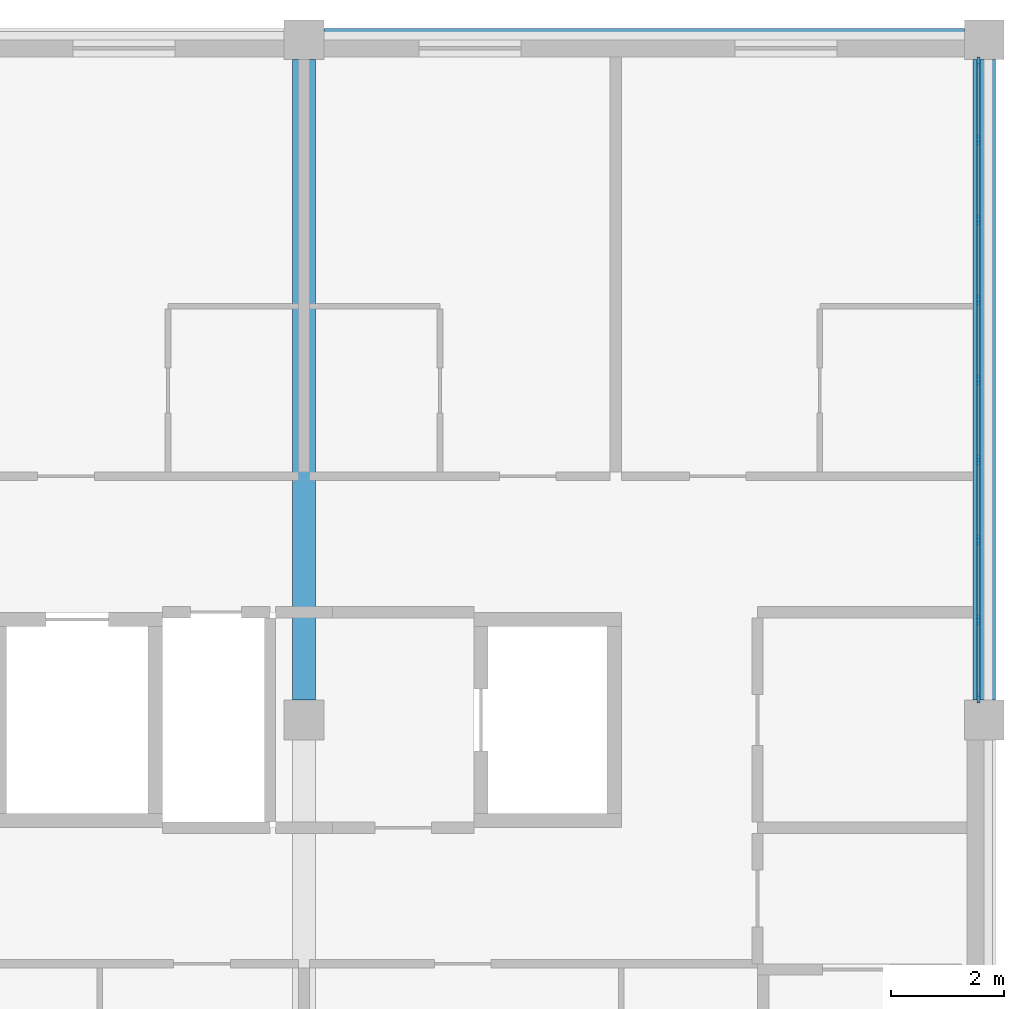
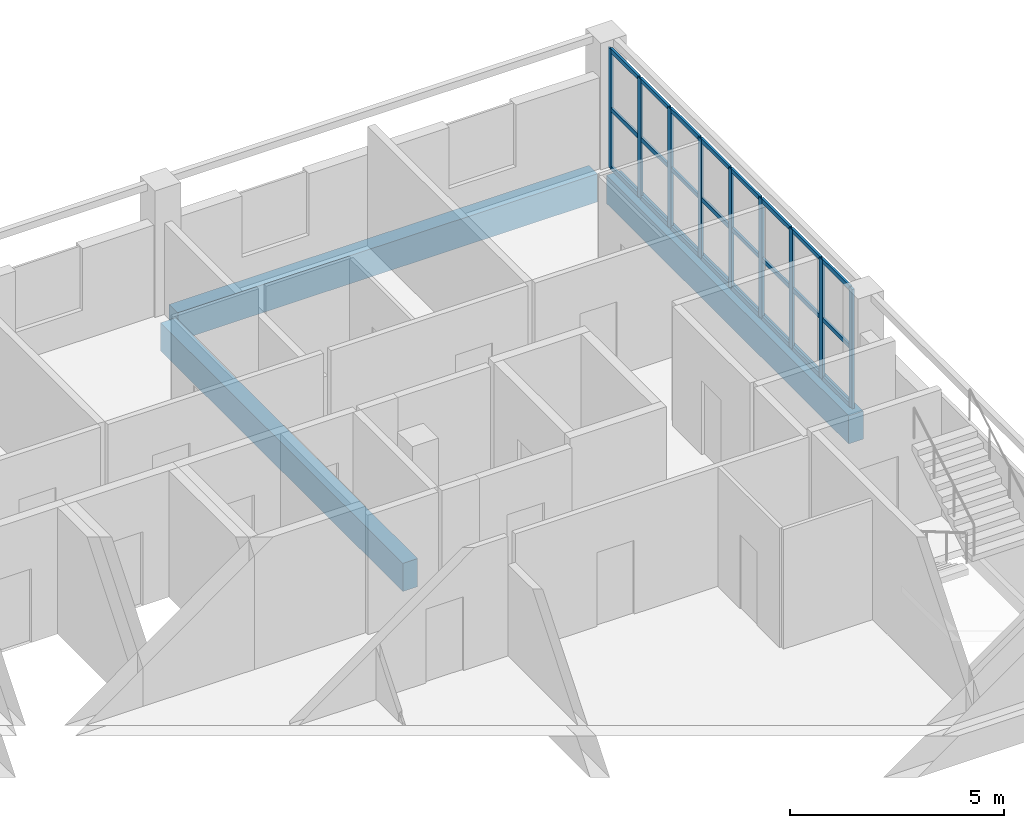
# One storey, part 4 of 11: 33 members, 3 beams, 1 element without a shape of its own.
"""IFC4 building model written with IfcOpenShell, lengths in metres."""

from ifc_helpers import new_model, si_unit, direction, frame, origin, origin_2d, place, context, subcontext, project, spatial, rectangle, extrude, material, layer, layer_set, material_profile, profile_set, type_object, element, aggregate, save


model = new_model("IFC4")

# Units and contexts
model_context = context("Model", 3, precision=1e-05, world=origin(), true_north=direction((0.0, 1.0)))
body_context = subcontext(model_context, "Body", "Model", "MODEL_VIEW")
ifc_project = project(units=[si_unit("LENGTHUNIT", "METRE"), si_unit("AREAUNIT", "SQUARE_METRE"), si_unit("VOLUMEUNIT", "CUBIC_METRE"), si_unit("PLANEANGLEUNIT", "RADIAN"), si_unit("MASSUNIT", "GRAM", prefix="KILO")], contexts=[model_context])

# Site, building, storey
site_placement = place(None, origin())
site = spatial("IfcSite", under=ifc_project, at=site_placement, CompositionType="ELEMENT")
building_placement = place(site_placement, origin())
building = spatial("IfcBuilding", under=site, at=building_placement, Name="Lilac Gate Convention Centre", CompositionType="ELEMENT")
storey_placement = place(building_placement, frame((0.0, 0.0, 64.199951171875)))
storey = spatial("IfcBuildingStorey", under=building, at=storey_placement, Name="L16", CompositionType="ELEMENT", Elevation=64.199951171875)

# Curtain wall, members
ifc_material_1 = material(Name="Aluminium framed double glazing", Category="aluminium")
ifc_layer = layer(ifc_material_1, 0.199951171875)
ifc_layer_set = layer_set([ifc_layer], Name="Aluminium framed double glazing")
curtain_wall_type = type_object("IfcCurtainWallType", Name="Unitised curtain wall 1500", PredefinedType="NOTDEFINED", material=ifc_layer_set)
curtain_wall_placement = place(storey_placement, origin())
curtain_wall = element("IfcCurtainWall", 1, at=curtain_wall_placement, inside=storey, type_object=curtain_wall_type, Name="Curtain wall E L16 2", PredefinedType="NOTDEFINED")
ifc_material_2 = material(Name="Aluminium alloy 6063", Category="aluminium")
ifc_material_profile_1 = material_profile(ifc_material_2, rectangle(XDim=0.06005859375, YDim=0.159912109375, at=origin_2d()), Name="Curtain wall mullion 60 x 160")
ifc_profile_set_1 = profile_set([ifc_material_profile_1], Name="Aluminium alloy 6063")
member_type_1 = type_object("IfcMemberType", Name="Curtain wall mullion 60 x 160", PredefinedType="MULLION", material=ifc_profile_set_1)
member_1_placement = place(storey_placement, frame((89.89990234375, 234.380126953125, 0.0), z_axis=(0.0, 0.0, 1.0), x_axis=(-1.0, 0.0, 0.0)))
member_1 = element("IfcMember", 2, at=member_1_placement, type_object=member_type_1, Name="CW mullion 1", PredefinedType="MULLION", context=body_context, shape_type="SweptSolid", body=[
    extrude(rectangle(XDim=0.06005859375, YDim=0.159912109375, at=origin_2d()), origin(), (0.0, 0.0, 1.0), 3.400146484375),
])
member_2_placement = place(storey_placement, frame((89.89990234375, 235.762451171875, 0.0), z_axis=(0.0, 0.0, 1.0), x_axis=(-1.0, 0.0, 0.0)))
member_2 = element("IfcMember", 3, at=member_2_placement, type_object=member_type_1, Name="CW mullion 2", PredefinedType="MULLION", context=body_context, shape_type="SweptSolid", body=[
    extrude(rectangle(XDim=0.06005859375, YDim=0.159912109375, at=origin_2d()), origin(), (0.0, 0.0, 1.0), 3.400146484375),
])
member_3_placement = place(storey_placement, frame((89.89990234375, 237.175048828125, 0.0), z_axis=(0.0, 0.0, 1.0), x_axis=(-1.0, 0.0, 0.0)))
member_3 = element("IfcMember", 4, at=member_3_placement, type_object=member_type_1, Name="CW mullion 3", PredefinedType="MULLION", context=body_context, shape_type="SweptSolid", body=[
    extrude(rectangle(XDim=0.06005859375, YDim=0.159912109375, at=origin_2d()), origin(), (0.0, 0.0, 1.0), 3.400146484375),
])
member_4_placement = place(storey_placement, frame((89.89990234375, 238.58740234375, 0.0), z_axis=(0.0, 0.0, 1.0), x_axis=(-1.0, 0.0, 0.0)))
member_4 = element("IfcMember", 5, at=member_4_placement, type_object=member_type_1, Name="CW mullion 4", PredefinedType="MULLION", context=body_context, shape_type="SweptSolid", body=[
    extrude(rectangle(XDim=0.06005859375, YDim=0.159912109375, at=origin_2d()), origin(), (0.0, 0.0, 1.0), 3.400146484375),
])
member_5_placement = place(storey_placement, frame((89.89990234375, 240.0, 0.0), z_axis=(0.0, 0.0, 1.0), x_axis=(-1.0, 0.0, 0.0)))
member_5 = element("IfcMember", 6, at=member_5_placement, type_object=member_type_1, Name="CW mullion 5", PredefinedType="MULLION", context=body_context, shape_type="SweptSolid", body=[
    extrude(rectangle(XDim=0.06005859375, YDim=0.159912109375, at=origin_2d()), origin(), (0.0, 0.0, 1.0), 3.400146484375),
])
member_6_placement = place(storey_placement, frame((89.89990234375, 241.41259765625, 0.0), z_axis=(0.0, 0.0, 1.0), x_axis=(-1.0, 0.0, 0.0)))
member_6 = element("IfcMember", 7, at=member_6_placement, type_object=member_type_1, Name="CW mullion 6", PredefinedType="MULLION", context=body_context, shape_type="SweptSolid", body=[
    extrude(rectangle(XDim=0.06005859375, YDim=0.159912109375, at=origin_2d()), origin(), (0.0, 0.0, 1.0), 3.400146484375),
])
member_7_placement = place(storey_placement, frame((89.89990234375, 242.824951171875, 0.0), z_axis=(0.0, 0.0, 1.0), x_axis=(-1.0, 0.0, 0.0)))
member_7 = element("IfcMember", 8, at=member_7_placement, type_object=member_type_1, Name="CW mullion 7", PredefinedType="MULLION", context=body_context, shape_type="SweptSolid", body=[
    extrude(rectangle(XDim=0.06005859375, YDim=0.159912109375, at=origin_2d()), origin(), (0.0, 0.0, 1.0), 3.400146484375),
])
member_8_placement = place(storey_placement, frame((89.89990234375, 244.237548828125, 0.0), z_axis=(0.0, 0.0, 1.0), x_axis=(-1.0, 0.0, 0.0)))
member_8 = element("IfcMember", 9, at=member_8_placement, type_object=member_type_1, Name="CW mullion 8", PredefinedType="MULLION", context=body_context, shape_type="SweptSolid", body=[
    extrude(rectangle(XDim=0.06005859375, YDim=0.159912109375, at=origin_2d()), origin(), (0.0, 0.0, 1.0), 3.400146484375),
])
member_9_placement = place(storey_placement, frame((89.89990234375, 245.619873046875, 0.0), z_axis=(0.0, 0.0, 1.0), x_axis=(-1.0, 0.0, 0.0)))
member_9 = element("IfcMember", 10, at=member_9_placement, type_object=member_type_1, Name="CW mullion 9", PredefinedType="MULLION", context=body_context, shape_type="SweptSolid", body=[
    extrude(rectangle(XDim=0.06005859375, YDim=0.159912109375, at=origin_2d()), origin(), (0.0, 0.0, 1.0), 3.400146484375),
])
ifc_material_profile_2 = material_profile(ifc_material_2, rectangle(XDim=0.06005859375, YDim=0.1201171875, at=origin_2d()), Name="Curtain wall transom 60 x 120")
ifc_profile_set_2 = profile_set([ifc_material_profile_2], Name="Aluminium alloy 6063")
member_type_2 = type_object("IfcMemberType", Name="Curtain wall transom 60 x 120", PredefinedType="USERDEFINED", material=ifc_profile_set_2)
member_10_placement = place(storey_placement, frame((89.89990234375, 234.41015625, 0.030029296875), z_axis=(0.0, 1.0, 0.0), x_axis=(-1.0, 0.0, 0.0)))
member_10 = element("IfcMember", 11, at=member_10_placement, type_object=member_type_2, Name="CW transom 1.1", ObjectType="TRANSOM", PredefinedType="USERDEFINED", context=body_context, shape_type="SweptSolid", body=[
    extrude(rectangle(XDim=0.06005859375, YDim=0.1201171875, at=origin_2d()), origin(), (0.0, 0.0, 1.0), 1.322509765625),
])
member_11_placement = place(storey_placement, frame((89.89990234375, 234.41015625, 1.699951171875), z_axis=(0.0, 1.0, 0.0), x_axis=(-1.0, 0.0, 0.0)))
member_11 = element("IfcMember", 12, at=member_11_placement, type_object=member_type_2, Name="CW transom 1.2", ObjectType="TRANSOM", PredefinedType="USERDEFINED", context=body_context, shape_type="SweptSolid", body=[
    extrude(rectangle(XDim=0.06005859375, YDim=0.1201171875, at=origin_2d()), origin(), (0.0, 0.0, 1.0), 1.322509765625),
])
member_12_placement = place(storey_placement, frame((89.89990234375, 234.41015625, 3.3701171875), z_axis=(0.0, 1.0, 0.0), x_axis=(-1.0, 0.0, 0.0)))
member_12 = element("IfcMember", 13, at=member_12_placement, type_object=member_type_2, Name="CW transom 1.3", ObjectType="TRANSOM", PredefinedType="USERDEFINED", context=body_context, shape_type="SweptSolid", body=[
    extrude(rectangle(XDim=0.06005859375, YDim=0.1201171875, at=origin_2d()), origin(), (0.0, 0.0, 1.0), 1.322509765625),
])
member_13_placement = place(storey_placement, frame((89.89990234375, 235.79248046875, 0.030029296875), z_axis=(0.0, 1.0, 0.0), x_axis=(-1.0, 0.0, 0.0)))
member_13 = element("IfcMember", 14, at=member_13_placement, type_object=member_type_2, Name="CW transom 2.1", ObjectType="TRANSOM", PredefinedType="USERDEFINED", context=body_context, shape_type="SweptSolid", body=[
    extrude(rectangle(XDim=0.06005859375, YDim=0.1201171875, at=origin_2d()), origin(), (0.0, 0.0, 1.0), 1.3525390625),
])
member_14_placement = place(storey_placement, frame((89.89990234375, 235.79248046875, 1.699951171875), z_axis=(0.0, 1.0, 0.0), x_axis=(-1.0, 0.0, 0.0)))
member_14 = element("IfcMember", 15, at=member_14_placement, type_object=member_type_2, Name="CW transom 2.2", ObjectType="TRANSOM", PredefinedType="USERDEFINED", context=body_context, shape_type="SweptSolid", body=[
    extrude(rectangle(XDim=0.06005859375, YDim=0.1201171875, at=origin_2d()), origin(), (0.0, 0.0, 1.0), 1.3525390625),
])
member_15_placement = place(storey_placement, frame((89.89990234375, 235.79248046875, 3.3701171875), z_axis=(0.0, 1.0, 0.0), x_axis=(-1.0, 0.0, 0.0)))
member_15 = element("IfcMember", 16, at=member_15_placement, type_object=member_type_2, Name="CW transom 2.3", ObjectType="TRANSOM", PredefinedType="USERDEFINED", context=body_context, shape_type="SweptSolid", body=[
    extrude(rectangle(XDim=0.06005859375, YDim=0.1201171875, at=origin_2d()), origin(), (0.0, 0.0, 1.0), 1.3525390625),
])
member_16_placement = place(storey_placement, frame((89.89990234375, 237.205078125, 0.030029296875), z_axis=(0.0, 1.0, 0.0), x_axis=(-1.0, 0.0, 0.0)))
member_16 = element("IfcMember", 17, at=member_16_placement, type_object=member_type_2, Name="CW transom 3.1", ObjectType="TRANSOM", PredefinedType="USERDEFINED", context=body_context, shape_type="SweptSolid", body=[
    extrude(rectangle(XDim=0.06005859375, YDim=0.1201171875, at=origin_2d()), origin(), (0.0, 0.0, 1.0), 1.3525390625),
])
member_17_placement = place(storey_placement, frame((89.89990234375, 237.205078125, 1.699951171875), z_axis=(0.0, 1.0, 0.0), x_axis=(-1.0, 0.0, 0.0)))
member_17 = element("IfcMember", 18, at=member_17_placement, type_object=member_type_2, Name="CW transom 3.2", ObjectType="TRANSOM", PredefinedType="USERDEFINED", context=body_context, shape_type="SweptSolid", body=[
    extrude(rectangle(XDim=0.06005859375, YDim=0.1201171875, at=origin_2d()), origin(), (0.0, 0.0, 1.0), 1.3525390625),
])
member_18_placement = place(storey_placement, frame((89.89990234375, 237.205078125, 3.3701171875), z_axis=(0.0, 1.0, 0.0), x_axis=(-1.0, 0.0, 0.0)))
member_18 = element("IfcMember", 19, at=member_18_placement, type_object=member_type_2, Name="CW transom 3.3", ObjectType="TRANSOM", PredefinedType="USERDEFINED", context=body_context, shape_type="SweptSolid", body=[
    extrude(rectangle(XDim=0.06005859375, YDim=0.1201171875, at=origin_2d()), origin(), (0.0, 0.0, 1.0), 1.3525390625),
])
member_19_placement = place(storey_placement, frame((89.89990234375, 238.617431640625, 0.030029296875), z_axis=(0.0, 1.0, 0.0), x_axis=(-1.0, 0.0, 0.0)))
member_19 = element("IfcMember", 20, at=member_19_placement, type_object=member_type_2, Name="CW transom 4.1", ObjectType="TRANSOM", PredefinedType="USERDEFINED", context=body_context, shape_type="SweptSolid", body=[
    extrude(rectangle(XDim=0.06005859375, YDim=0.1201171875, at=origin_2d()), origin(), (0.0, 0.0, 1.0), 1.3525390625),
])
member_20_placement = place(storey_placement, frame((89.89990234375, 238.617431640625, 1.699951171875), z_axis=(0.0, 1.0, 0.0), x_axis=(-1.0, 0.0, 0.0)))
member_20 = element("IfcMember", 21, at=member_20_placement, type_object=member_type_2, Name="CW transom 4.2", ObjectType="TRANSOM", PredefinedType="USERDEFINED", context=body_context, shape_type="SweptSolid", body=[
    extrude(rectangle(XDim=0.06005859375, YDim=0.1201171875, at=origin_2d()), origin(), (0.0, 0.0, 1.0), 1.3525390625),
])
member_21_placement = place(storey_placement, frame((89.89990234375, 238.617431640625, 3.3701171875), z_axis=(0.0, 1.0, 0.0), x_axis=(-1.0, 0.0, 0.0)))
member_21 = element("IfcMember", 22, at=member_21_placement, type_object=member_type_2, Name="CW transom 4.3", ObjectType="TRANSOM", PredefinedType="USERDEFINED", context=body_context, shape_type="SweptSolid", body=[
    extrude(rectangle(XDim=0.06005859375, YDim=0.1201171875, at=origin_2d()), origin(), (0.0, 0.0, 1.0), 1.3525390625),
])
member_22_placement = place(storey_placement, frame((89.89990234375, 240.030029296875, 0.030029296875), z_axis=(0.0, 1.0, 0.0), x_axis=(-1.0, 0.0, 0.0)))
member_22 = element("IfcMember", 23, at=member_22_placement, type_object=member_type_2, Name="CW transom 5.1", ObjectType="TRANSOM", PredefinedType="USERDEFINED", context=body_context, shape_type="SweptSolid", body=[
    extrude(rectangle(XDim=0.06005859375, YDim=0.1201171875, at=origin_2d()), origin(), (0.0, 0.0, 1.0), 1.3525390625),
])
member_23_placement = place(storey_placement, frame((89.89990234375, 240.030029296875, 1.699951171875), z_axis=(0.0, 1.0, 0.0), x_axis=(-1.0, 0.0, 0.0)))
member_23 = element("IfcMember", 24, at=member_23_placement, type_object=member_type_2, Name="CW transom 5.2", ObjectType="TRANSOM", PredefinedType="USERDEFINED", context=body_context, shape_type="SweptSolid", body=[
    extrude(rectangle(XDim=0.06005859375, YDim=0.1201171875, at=origin_2d()), origin(), (0.0, 0.0, 1.0), 1.3525390625),
])
member_24_placement = place(storey_placement, frame((89.89990234375, 240.030029296875, 3.3701171875), z_axis=(0.0, 1.0, 0.0), x_axis=(-1.0, 0.0, 0.0)))
member_24 = element("IfcMember", 25, at=member_24_placement, type_object=member_type_2, Name="CW transom 5.3", ObjectType="TRANSOM", PredefinedType="USERDEFINED", context=body_context, shape_type="SweptSolid", body=[
    extrude(rectangle(XDim=0.06005859375, YDim=0.1201171875, at=origin_2d()), origin(), (0.0, 0.0, 1.0), 1.3525390625),
])
member_25_placement = place(storey_placement, frame((89.89990234375, 241.4423828125, 0.030029296875), z_axis=(0.0, 1.0, 0.0), x_axis=(-1.0, 0.0, 0.0)))
member_25 = element("IfcMember", 26, at=member_25_placement, type_object=member_type_2, Name="CW transom 6.1", ObjectType="TRANSOM", PredefinedType="USERDEFINED", context=body_context, shape_type="SweptSolid", body=[
    extrude(rectangle(XDim=0.06005859375, YDim=0.1201171875, at=origin_2d()), origin(), (0.0, 0.0, 1.0), 1.3525390625),
])
member_26_placement = place(storey_placement, frame((89.89990234375, 241.4423828125, 1.699951171875), z_axis=(0.0, 1.0, 0.0), x_axis=(-1.0, 0.0, 0.0)))
member_26 = element("IfcMember", 27, at=member_26_placement, type_object=member_type_2, Name="CW transom 6.2", ObjectType="TRANSOM", PredefinedType="USERDEFINED", context=body_context, shape_type="SweptSolid", body=[
    extrude(rectangle(XDim=0.06005859375, YDim=0.1201171875, at=origin_2d()), origin(), (0.0, 0.0, 1.0), 1.3525390625),
])
member_27_placement = place(storey_placement, frame((89.89990234375, 241.4423828125, 3.3701171875), z_axis=(0.0, 1.0, 0.0), x_axis=(-1.0, 0.0, 0.0)))
member_27 = element("IfcMember", 28, at=member_27_placement, type_object=member_type_2, Name="CW transom 6.3", ObjectType="TRANSOM", PredefinedType="USERDEFINED", context=body_context, shape_type="SweptSolid", body=[
    extrude(rectangle(XDim=0.06005859375, YDim=0.1201171875, at=origin_2d()), origin(), (0.0, 0.0, 1.0), 1.3525390625),
])
member_28_placement = place(storey_placement, frame((89.89990234375, 242.85498046875, 0.030029296875), z_axis=(0.0, 1.0, 0.0), x_axis=(-1.0, 0.0, 0.0)))
member_28 = element("IfcMember", 29, at=member_28_placement, type_object=member_type_2, Name="CW transom 7.1", ObjectType="TRANSOM", PredefinedType="USERDEFINED", context=body_context, shape_type="SweptSolid", body=[
    extrude(rectangle(XDim=0.06005859375, YDim=0.1201171875, at=origin_2d()), origin(), (0.0, 0.0, 1.0), 1.3525390625),
])
member_29_placement = place(storey_placement, frame((89.89990234375, 242.85498046875, 1.699951171875), z_axis=(0.0, 1.0, 0.0), x_axis=(-1.0, 0.0, 0.0)))
member_29 = element("IfcMember", 30, at=member_29_placement, type_object=member_type_2, Name="CW transom 7.2", ObjectType="TRANSOM", PredefinedType="USERDEFINED", context=body_context, shape_type="SweptSolid", body=[
    extrude(rectangle(XDim=0.06005859375, YDim=0.1201171875, at=origin_2d()), origin(), (0.0, 0.0, 1.0), 1.3525390625),
])
member_30_placement = place(storey_placement, frame((89.89990234375, 242.85498046875, 3.3701171875), z_axis=(0.0, 1.0, 0.0), x_axis=(-1.0, 0.0, 0.0)))
member_30 = element("IfcMember", 31, at=member_30_placement, type_object=member_type_2, Name="CW transom 7.3", ObjectType="TRANSOM", PredefinedType="USERDEFINED", context=body_context, shape_type="SweptSolid", body=[
    extrude(rectangle(XDim=0.06005859375, YDim=0.1201171875, at=origin_2d()), origin(), (0.0, 0.0, 1.0), 1.3525390625),
])
member_31_placement = place(storey_placement, frame((89.89990234375, 244.267333984375, 0.030029296875), z_axis=(0.0, 1.0, 0.0), x_axis=(-1.0, 0.0, 0.0)))
member_31 = element("IfcMember", 32, at=member_31_placement, type_object=member_type_2, Name="CW transom 8.1", ObjectType="TRANSOM", PredefinedType="USERDEFINED", context=body_context, shape_type="SweptSolid", body=[
    extrude(rectangle(XDim=0.06005859375, YDim=0.1201171875, at=origin_2d()), origin(), (0.0, 0.0, 1.0), 1.322509765625),
])
member_32_placement = place(storey_placement, frame((89.89990234375, 244.267333984375, 1.699951171875), z_axis=(0.0, 1.0, 0.0), x_axis=(-1.0, 0.0, 0.0)))
member_32 = element("IfcMember", 33, at=member_32_placement, type_object=member_type_2, Name="CW transom 8.2", ObjectType="TRANSOM", PredefinedType="USERDEFINED", context=body_context, shape_type="SweptSolid", body=[
    extrude(rectangle(XDim=0.06005859375, YDim=0.1201171875, at=origin_2d()), origin(), (0.0, 0.0, 1.0), 1.322509765625),
])
member_33_placement = place(storey_placement, frame((89.89990234375, 244.267333984375, 3.3701171875), z_axis=(0.0, 1.0, 0.0), x_axis=(-1.0, 0.0, 0.0)))
member_33 = element("IfcMember", 34, at=member_33_placement, type_object=member_type_2, Name="CW transom 8.3", ObjectType="TRANSOM", PredefinedType="USERDEFINED", context=body_context, shape_type="SweptSolid", body=[
    extrude(rectangle(XDim=0.06005859375, YDim=0.1201171875, at=origin_2d()), origin(), (0.0, 0.0, 1.0), 1.322509765625),
])
aggregate(curtain_wall, [member_1, member_2, member_3, member_4, member_5, member_6, member_7, member_8, member_9, member_10, member_11, member_12, member_13, member_14, member_15, member_16, member_17, member_18, member_19, member_20, member_21, member_22, member_23, member_24, member_25, member_26, member_27, member_28, member_29, member_30, member_31, member_32, member_33])

# Beams
ifc_material_3 = material(Name="Concrete C40", Category="concrete")
ifc_material_profile_3 = material_profile(ifc_material_3, rectangle(XDim=0.39990234375, YDim=0.800048828125, at=origin_2d()), Name="RC 400x800")
ifc_profile_set_3 = profile_set([ifc_material_profile_3], Name="Concrete C40")
beam_type = type_object("IfcBeamType", Name="Tower primary beam 400x800 C40", PredefinedType="BEAM", material=ifc_profile_set_3)
for number, where, z_axis, x_axis, name in (
    (35, (78.35009765625, 246.0, -0.599853515625), (1.0, 0.0, 0.0), (0.0, 1.0, 0.0), "RB3 L16 7/U-8/U"),
    (36, (78.0, 234.35009765625, -0.599853515625), (0.0, 1.0, 0.0), (-1.0, 0.0, 0.0), "RB3 L16 7/T-7/U"),
    (37, (90.0, 234.35009765625, -0.599853515625), (0.0, 1.0, 0.0), (-1.0, 0.0, 0.0), "RB3 L16 8/T-8/U"),
):
    element("IfcBeam", number, at=place(storey_placement, frame(where, z_axis=z_axis, x_axis=x_axis)), inside=storey, type_object=beam_type, Name=name, PredefinedType="BEAM", context=body_context, shape_type="SweptSolid", body=[
        extrude(rectangle(XDim=0.39990234375, YDim=0.800048828125, at=origin_2d()), origin(), (0.0, 0.0, 1.0), 11.2998046875),
    ])

save(model, "model.ifc")
